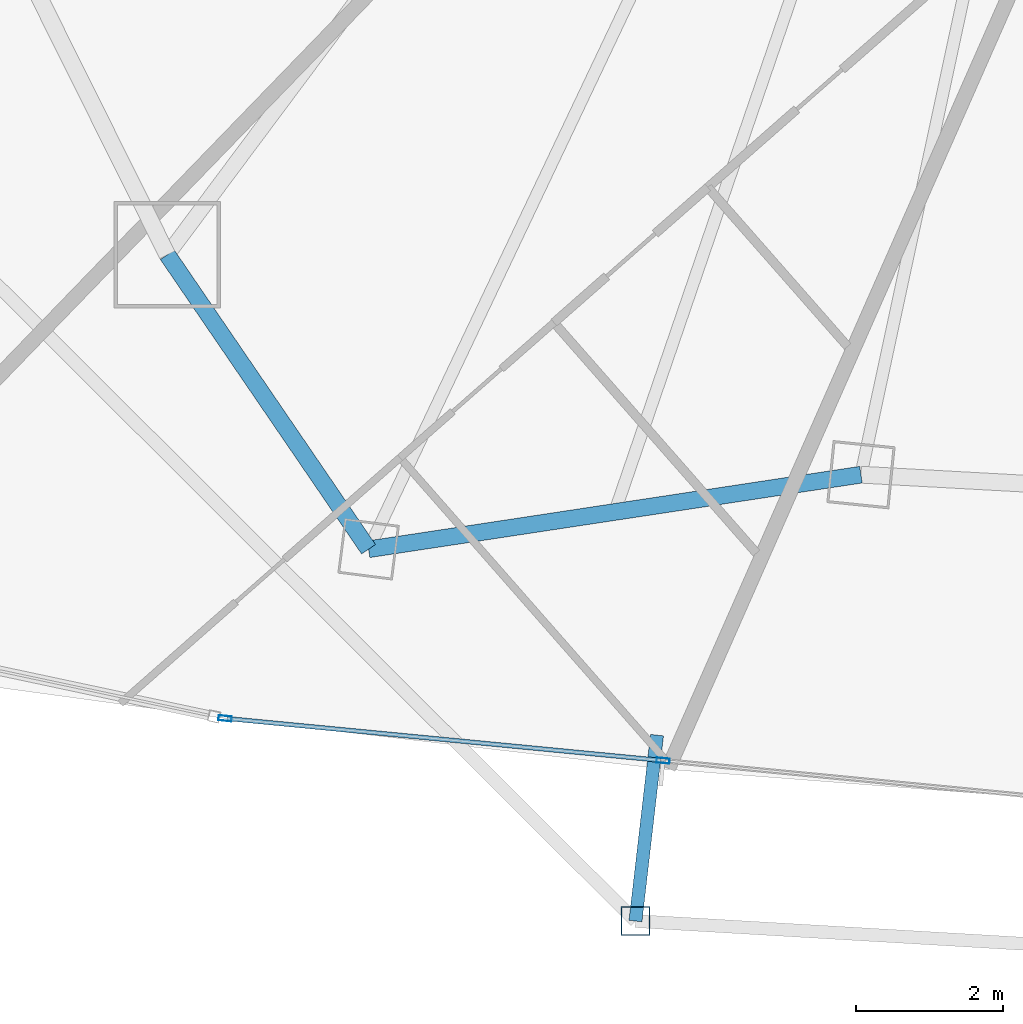
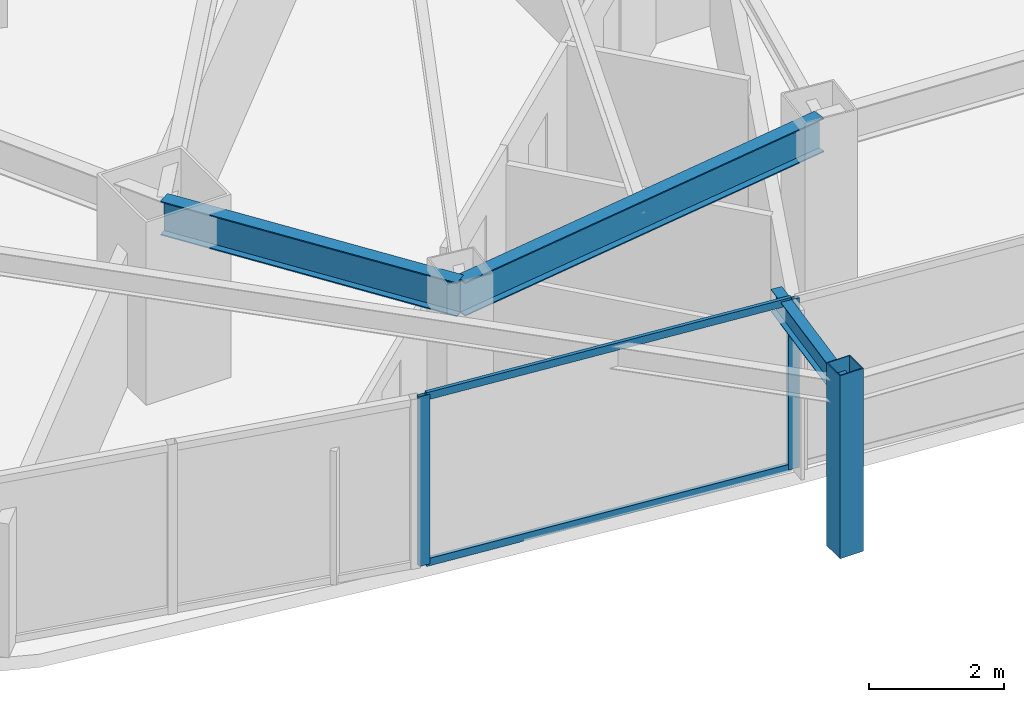
# One storey, part 4 of 31: 5 members, 3 beams, 1 element without a shape of its own.
"""IFC4 building model written with IfcOpenShell, lengths in metres."""

from ifc_helpers import new_model, si_unit, direction, frame, origin, origin_2d, place, context, subcontext, project, spatial, hollow_rectangle, i_section, extrude, material, layer, layer_set, material_profile, profile_set, type_object, element, aggregate, save


model = new_model("IFC4")

# Units and contexts
model_context = context("Model", 3, precision=1e-05, world=origin(), true_north=direction((0.0, 1.0)))
body_context = subcontext(model_context, "Body", "Model", "MODEL_VIEW")
ifc_project = project(units=[si_unit("LENGTHUNIT", "METRE"), si_unit("AREAUNIT", "SQUARE_METRE"), si_unit("VOLUMEUNIT", "CUBIC_METRE"), si_unit("PLANEANGLEUNIT", "RADIAN"), si_unit("MASSUNIT", "GRAM", prefix="KILO")], contexts=[model_context])

# Site, building, storey
site_placement = place(None, origin())
site = spatial("IfcSite", under=ifc_project, at=site_placement, CompositionType="ELEMENT")
building_placement = place(site_placement, origin())
building = spatial("IfcBuilding", under=site, at=building_placement, Name="Orvanel Arch Residences", CompositionType="ELEMENT")
storey_placement = place(building_placement, frame((0.0, 0.0, 106.699951171875)))
storey = spatial("IfcBuildingStorey", under=building, at=storey_placement, Name="L29", CompositionType="ELEMENT", Elevation=106.699951171875)

# Curtain wall, members
ifc_material_1 = material(Name="Bronze-anodised aluminium AA6063-T6", Category="aluminium")
ifc_layer = layer(ifc_material_1, 0.179931640625)
ifc_layer_set = layer_set([ifc_layer], Name="Bronze-anodised aluminium AA6063-T6")
curtain_wall_type = type_object("IfcCurtainWallType", Name="CW3-MID-SYS", PredefinedType="NOTDEFINED", material=ifc_layer_set)
curtain_wall_placement = place(storey_placement, origin())
curtain_wall = element("IfcCurtainWall", 1, at=curtain_wall_placement, inside=storey, type_object=curtain_wall_type, Name="L29 CW3-MID-SYS Unitised Curtain Wall", PredefinedType="NOTDEFINED")
ifc_material_profile_1 = material_profile(ifc_material_1, hollow_rectangle(XDim=0.070068359375, YDim=0.179931640625, WallThickness=0.00439453125, at=origin_2d()), Name="ALU180x70x4.5")
ifc_profile_set_1 = profile_set([ifc_material_profile_1], Name="Bronze-anodised aluminium AA6063-T6")
member_type_1 = type_object("IfcMemberType", Name="MUL-180x70", PredefinedType="MULLION", material=ifc_profile_set_1)
member_1_placement = place(storey_placement, frame((14.98486328125, 4.03564453125, 0.0), z_axis=(0.0, 0.0, 1.0), x_axis=(0.095998315385, 0.995381496434, 0.0)))
member_1 = element("IfcMember", 2, at=member_1_placement, type_object=member_type_1, Name="CW-S3 mullion 1", PredefinedType="MULLION", context=body_context, shape_type="SweptSolid", body=[
    extrude(hollow_rectangle(XDim=0.070068359375, YDim=0.179931640625, WallThickness=0.00439453125, at=origin_2d()), origin(), (0.0, 0.0, 1.0), 3.06005859375),
])
member_2_placement = place(storey_placement, frame((20.95361328125, 3.4599609375, 0.0), z_axis=(0.0, 0.0, 1.0), x_axis=(0.095998315385, 0.995381496434, 0.0)))
member_2 = element("IfcMember", 3, at=member_2_placement, type_object=member_type_1, Name="CW-S3 mullion 2", PredefinedType="MULLION", context=body_context, shape_type="SweptSolid", body=[
    extrude(hollow_rectangle(XDim=0.070068359375, YDim=0.179931640625, WallThickness=0.00439453125, at=origin_2d()), origin(), (0.0, 0.0, 1.0), 3.06005859375),
])

# Beams
ifc_material_2 = material(Name="Structural steel AS/NZS 3679.1 Grade 300 (300 MPa)", Category="steel")
ifc_material_profile_2 = material_profile(ifc_material_2, i_section(OverallWidth=0.177978515625, OverallDepth=0.406005859375, WebThickness=0.0078125, FlangeThickness=0.0126953125, at=origin_2d()), Name="410UB59.7")
ifc_profile_set_2 = profile_set([ifc_material_profile_2], Name="Structural steel AS/NZS 3679.1 Grade 300 (300 MPa)")
beam_type_1 = type_object("IfcBeamType", Name="OB-410UB-EXT", PredefinedType="SPANDREL", material=ifc_profile_set_2)
beam_1_placement = place(storey_placement, frame((20.8701171875, 3.806884765625, 2.85693359375), z_axis=(-0.114991150443, -0.993366516106, 0.0), x_axis=(0.993366516106, -0.114991150443, 0.0)))
element("IfcBeam", 4, at=beam_1_placement, inside=storey, type_object=beam_type_1, Name="L29 Outer Frame Radial Tie Beam 05", PredefinedType="SPANDREL", context=body_context, shape_type="SweptSolid", body=[
    extrude(i_section(OverallWidth=0.177978515625, OverallDepth=0.406005859375, WebThickness=0.0078125, FlangeThickness=0.0126953125, at=origin_2d()), origin(), (0.0, 0.0, 1.0), 2.5498046875),
])
ifc_material_profile_3 = material_profile(ifc_material_2, i_section(OverallWidth=0.22900390625, OverallDepth=0.612060546875, WebThickness=0.011962890625, FlangeThickness=0.01953125, at=origin_2d()), Name="610UB125")
ifc_profile_set_3 = profile_set([ifc_material_profile_3], Name="Structural steel AS/NZS 3679.1 Grade 300 (300 MPa)")
beam_type_2 = type_object("IfcBeamType", Name="SP-610UB", PredefinedType="SPANDREL", material=ifc_profile_set_3)
beam_2_placement = place(storey_placement, frame((14.198974609375, 10.35107421875, 2.754150390625), z_axis=(0.564251579852, -0.825602903722, 0.0), x_axis=(0.825602903722, 0.564251579852, 0.0)))
element("IfcBeam", 5, at=beam_2_placement, inside=storey, type_object=beam_type_2, Name="L29 Perimeter Spandrel Beam 03", PredefinedType="SPANDREL", context=body_context, shape_type="SweptSolid", body=[
    extrude(i_section(OverallWidth=0.22900390625, OverallDepth=0.612060546875, WebThickness=0.011962890625, FlangeThickness=0.01953125, at=origin_2d()), origin(), (0.0, 0.0, 1.0), 4.859375),
])
beam_3_placement = place(storey_placement, frame((16.94091796875, 6.339111328125, 2.754150390625), z_axis=(0.988726323014, 0.149733958002, 0.0), x_axis=(-0.149733958002, 0.988726323014, 0.0)))
element("IfcBeam", 6, at=beam_3_placement, inside=storey, type_object=beam_type_2, Name="L29 Perimeter Spandrel Beam 04", PredefinedType="SPANDREL", context=body_context, shape_type="SweptSolid", body=[
    extrude(i_section(OverallWidth=0.22900390625, OverallDepth=0.612060546875, WebThickness=0.011962890625, FlangeThickness=0.01953125, at=origin_2d()), origin(), (0.0, 0.0, 1.0), 6.784423828125),
])

# Member
ifc_material_3 = material(Name="Structural steel AS/NZS 1163 C450L0 (Grade 450)", Category="steel")
ifc_material_profile_4 = material_profile(ifc_material_3, hollow_rectangle(XDim=0.39990234375, YDim=0.39990234375, WallThickness=0.01611328125, at=origin_2d()), Name="SHS400x400x16")
ifc_profile_set_4 = profile_set([ifc_material_profile_4], Name="Structural steel AS/NZS 1163 C450L0 (Grade 450)")
member_type_2 = type_object("IfcMemberType", Name="ST-400SHS-EXT", PredefinedType="STRUT", material=ifc_profile_set_4)
member_3_placement = place(storey_placement, frame((20.576904296875, 1.27392578125, 0.0), z_axis=(0.0, 0.0, 1.0), x_axis=(1.0, 0.0, 0.0)))
element("IfcMember", 7, at=member_3_placement, inside=storey, type_object=member_type_2, Name="L29 Outer Perimeter Frame Post 05", PredefinedType="STRUT", context=body_context, shape_type="SweptSolid", body=[
    extrude(hollow_rectangle(XDim=0.39990234375, YDim=0.39990234375, WallThickness=0.01611328125, at=origin_2d()), origin(), (0.0, 0.0, 1.0), 3.300048828125),
])

ifc_material_profile_5 = material_profile(ifc_material_1, hollow_rectangle(XDim=0.06005859375, YDim=0.135009765625, WallThickness=0.00390625, at=origin_2d()), Name="ALU135x60x4")
ifc_profile_set_5 = profile_set([ifc_material_profile_5], Name="Bronze-anodised aluminium AA6063-T6")
member_type_3 = type_object("IfcMemberType", Name="TRN-135x60", PredefinedType="USERDEFINED", material=ifc_profile_set_5)
member_4_placement = place(storey_placement, frame((15.019775390625, 4.0322265625, 0.030029296875), z_axis=(0.995382573688, -0.095987144967, 0.0), x_axis=(0.095987144967, 0.995382573688, 0.0)))
member_4 = element("IfcMember", 8, at=member_4_placement, type_object=member_type_3, Name="CW-S3 transom 1.1", ObjectType="TRANSOM", PredefinedType="USERDEFINED", context=body_context, shape_type="SweptSolid", body=[
    extrude(hollow_rectangle(XDim=0.06005859375, YDim=0.135009765625, WallThickness=0.00390625, at=origin_2d()), origin(), (0.0, 0.0, 1.0), 5.92626953125),
])

member_5_placement = place(storey_placement, frame((15.019775390625, 4.0322265625, 3.030029296875), z_axis=(0.995382573688, -0.095987144967, 0.0), x_axis=(0.095987144967, 0.995382573688, 0.0)))
member_5 = element("IfcMember", 9, at=member_5_placement, type_object=member_type_3, Name="CW-S3 transom 1.2", ObjectType="TRANSOM", PredefinedType="USERDEFINED", context=body_context, shape_type="SweptSolid", body=[
    extrude(hollow_rectangle(XDim=0.06005859375, YDim=0.135009765625, WallThickness=0.00390625, at=origin_2d()), origin(), (0.0, 0.0, 1.0), 5.92626953125),
])

aggregate(curtain_wall, [member_1, member_2, member_4, member_5])

save(model, "model.ifc")
